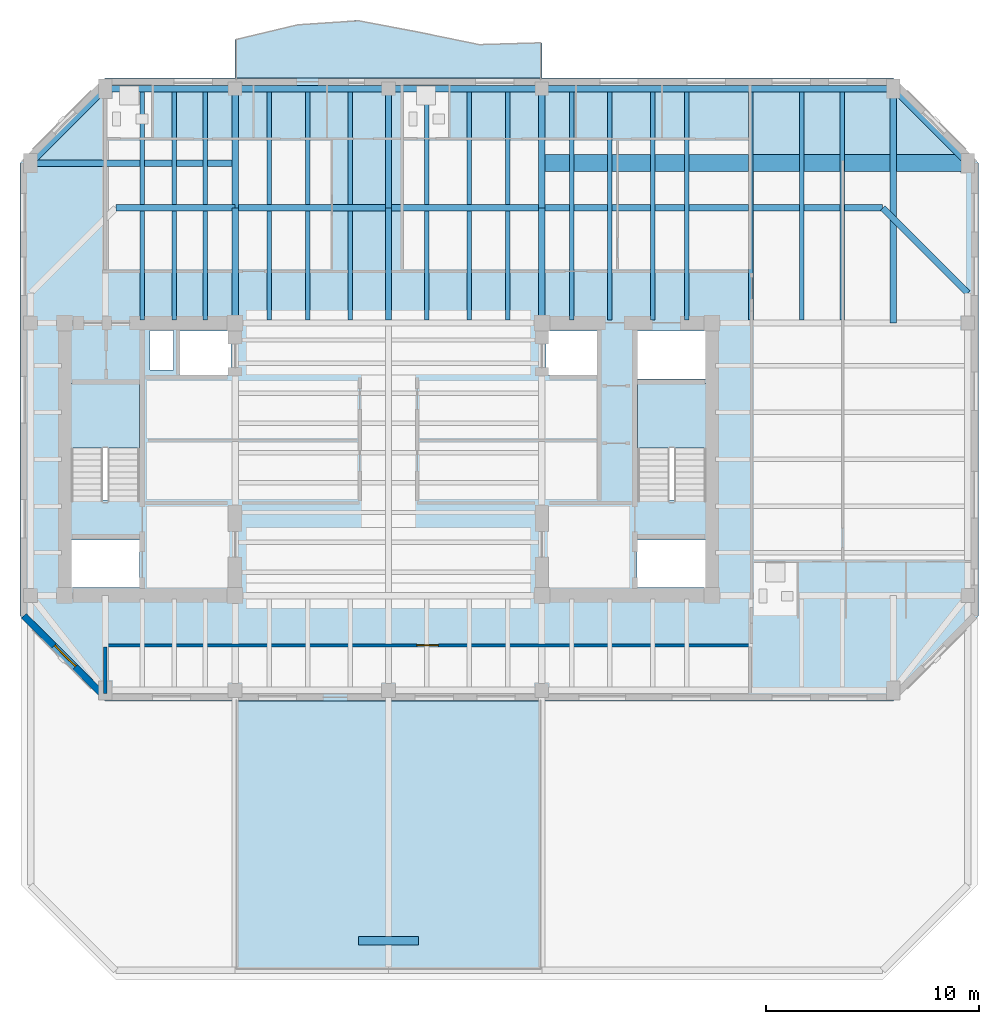
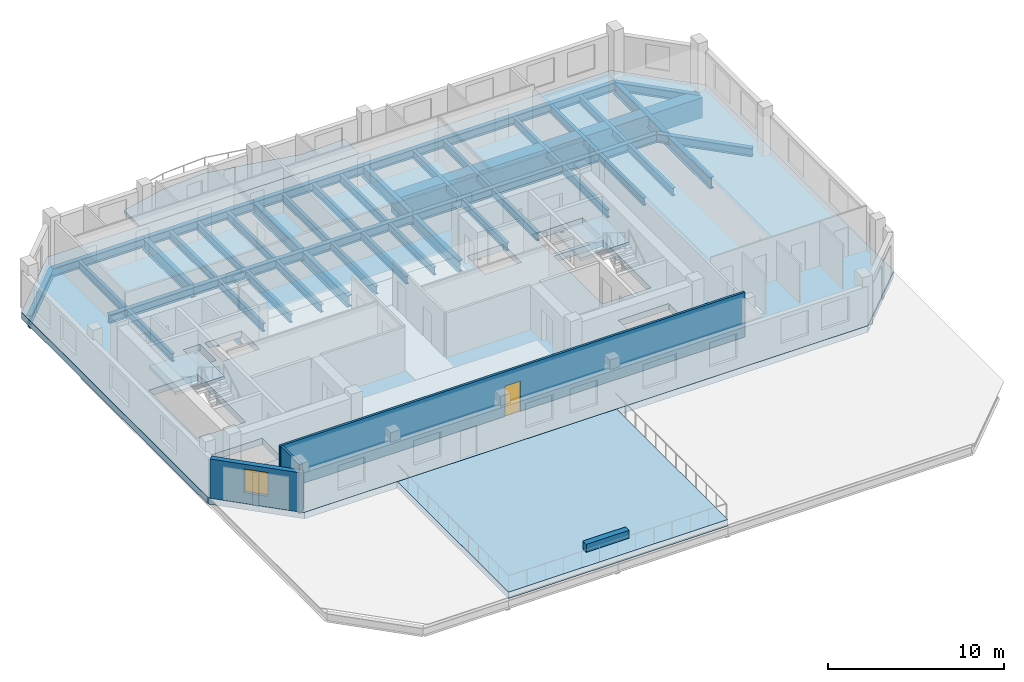
# One storey, part 2 of 10: 36 beams, 5 slabs, 4 walls, 1 door, 1 window, 2 openings, 2 elements without a shape of their own.
"""IFC4 building model written with IfcOpenShell, lengths in metres."""

from ifc_helpers import new_model, si_unit, direction, frame, frame_2d, origin, origin_2d, place, context, subcontext, project, spatial, polyline, rectangle, i_section, outline, extrude, material, layer, layer_set, material_profile, profile_set, type_object, element, fill, aggregate, save


model = new_model("IFC4")

# Units and contexts
model_context = context("Model", 3, precision=1e-05, world=origin(), true_north=direction((0.0, 1.0)))
body_context = subcontext(model_context, "Body", "Model", "MODEL_VIEW")
ifc_project = project(units=[si_unit("LENGTHUNIT", "METRE"), si_unit("AREAUNIT", "SQUARE_METRE"), si_unit("VOLUMEUNIT", "CUBIC_METRE"), si_unit("PLANEANGLEUNIT", "RADIAN"), si_unit("MASSUNIT", "GRAM", prefix="KILO")], contexts=[model_context])

# Site, building, storey
site_placement = place(None, origin())
site = spatial("IfcSite", under=ifc_project, at=site_placement, CompositionType="ELEMENT")
building_placement = place(site_placement, origin())
building = spatial("IfcBuilding", under=site, at=building_placement, Name="Kranthara Brick Stack", CompositionType="ELEMENT")
storey_placement = place(building_placement, frame((0.0, 0.0, 248.300048828125)))
storey = spatial("IfcBuildingStorey", under=building, at=storey_placement, Name="L65", CompositionType="ELEMENT", Elevation=248.300048828125)

# Beams
ifc_material_1 = material(Name="Steel S355", Category="steel")
ifc_material_profile_1 = material_profile(ifc_material_1, i_section(OverallWidth=0.2099609375, OverallDepth=0.550048828125, WebThickness=0.010986328125, FlangeThickness=0.01708984375, at=origin_2d()), Name="IPE 550")
ifc_profile_set_1 = profile_set([ifc_material_profile_1], Name="Steel S355")
beam_type_1 = type_object("IfcBeamType", Name="BM-JST-IPE550", PredefinedType="JOIST", material=ifc_profile_set_1)
for number, where, z_axis, x_axis, name in (
    (1, (16.449951171875, 33.75, -0.72509765625), (0.0, 1.0, 0.0), (-1.0, 0.0, 0.0), "L65 North Wing Floor Joist 074"),
    (2, (17.949951171875, 33.75, -0.72509765625), (0.0, 1.0, 0.0), (-1.0, 0.0, 0.0), "L65 North Wing Floor Joist 076"),
    (3, (19.39990234375, 33.75, -0.72509765625), (0.0, 1.0, 0.0), (-1.0, 0.0, 0.0), "L65 North Wing Floor Joist 078"),
    (4, (22.39990234375, 33.75, -0.72509765625), (0.0, 1.0, 0.0), (-1.0, 0.0, 0.0), "L65 North Wing Floor Joist 080"),
    (5, (24.199951171875, 33.75, -0.72509765625), (0.0, 1.0, 0.0), (-1.0, 0.0, 0.0), "L65 North Wing Floor Joist 082"),
    (6, (26.199951171875, 33.75, -0.72509765625), (0.0, 1.0, 0.0), (-1.0, 0.0, 0.0), "L65 North Wing Floor Joist 084"),
    (7, (29.800048828125, 33.75, -0.72509765625), (0.0, 1.0, 0.0), (-1.0, 0.0, 0.0), "L65 North Wing Floor Joist 086"),
    (8, (31.800048828125, 33.75, -0.72509765625), (0.0, 1.0, 0.0), (-1.0, 0.0, 0.0), "L65 North Wing Floor Joist 088"),
    (9, (33.60009765625, 33.75, -0.72509765625), (0.0, 1.0, 0.0), (-1.0, 0.0, 0.0), "L65 North Wing Floor Joist 090"),
    (10, (36.60009765625, 33.75, -0.72509765625), (0.0, 1.0, 0.0), (-1.0, 0.0, 0.0), "L65 North Wing Floor Joist 092"),
    (11, (38.39990234375, 33.75, -0.72509765625), (0.0, 1.0, 0.0), (-1.0, 0.0, 0.0), "L65 North Wing Floor Joist 094"),
    (12, (40.39990234375, 33.75, -0.72509765625), (0.0, 1.0, 0.0), (-1.0, 0.0, 0.0), "L65 North Wing Floor Joist 096"),
    (13, (42.0, 33.75, -0.72509765625), (0.0, 1.0, 0.0), (-1.0, 0.0, 0.0), "L65 North Wing Floor Joist 098"),
    (14, (45.0, 33.75, -0.72509765625), (0.0, 1.0, 0.0), (-1.0, 0.0, 0.0), "L65 North Wing Floor Joist 100"),
    (15, (47.39990234375, 33.75, -0.72509765625), (0.0, 1.0, 0.0), (-1.0, 0.0, 0.0), "L65 North Wing Floor Joist 102"),
    (16, (49.300048828125, 33.75, -0.72509765625), (0.0, 1.0, 0.0), (-1.0, 0.0, 0.0), "L65 North Wing Floor Joist 104"),
):
    element("IfcBeam", number, at=place(storey_placement, frame(where, z_axis=z_axis, x_axis=x_axis)), inside=storey, type_object=beam_type_1, Name=name, PredefinedType="JOIST", context=body_context, shape_type="SweptSolid", body=[
        extrude(i_section(OverallWidth=0.2099609375, OverallDepth=0.550048828125, WebThickness=0.010986328125, FlangeThickness=0.01708984375, at=origin_2d()), origin(), (0.0, 0.0, 1.0), 10.699951171875),
    ])
ifc_material_2 = material(Name="Steel S355", Category="steel")
ifc_material_profile_2 = material_profile(ifc_material_2, i_section(OverallWidth=0.300048828125, OverallDepth=0.60009765625, WebThickness=0.015380859375, FlangeThickness=0.030029296875, at=origin_2d()), Name="HEB 600")
ifc_profile_set_2 = profile_set([ifc_material_profile_2], Name="Steel S355")
beam_type_2 = type_object("IfcBeamType", Name="BM-STL-HEB600", PredefinedType="BEAM", material=ifc_profile_set_2)
beam_1_placement = place(storey_placement, frame((15.199951171875, 39.0, -0.75), z_axis=(1.0, 0.0, 0.0), x_axis=(0.0, 1.0, 0.0)))
element("IfcBeam", 17, at=beam_1_placement, inside=storey, type_object=beam_type_2, Name="L65 Perimeter Spandrel Beam 009", PredefinedType="BEAM", context=body_context, shape_type="SweptSolid", body=[
    extrude(i_section(OverallWidth=0.300048828125, OverallDepth=0.60009765625, WebThickness=0.015380859375, FlangeThickness=0.030029296875, at=origin_2d()), origin(), (0.0, 0.0, 1.0), 5.60009765625),
])
for number, where, z_axis, x_axis, name in (
    (18, (20.800048828125, 39.0, -0.75), (1.0, 0.0, 0.0), (0.0, 1.0, 0.0), "L65 Perimeter Spandrel Beam 010"),
    (19, (28.0, 39.0, -0.75), (1.0, 0.0, 0.0), (0.0, 1.0, 0.0), "L65 Perimeter Spandrel Beam 011"),
):
    element("IfcBeam", number, at=place(storey_placement, frame(where, z_axis=z_axis, x_axis=x_axis)), inside=storey, type_object=beam_type_2, Name=name, PredefinedType="BEAM", context=body_context, shape_type="SweptSolid", body=[
        extrude(i_section(OverallWidth=0.300048828125, OverallDepth=0.60009765625, WebThickness=0.015380859375, FlangeThickness=0.030029296875, at=origin_2d()), origin(), (0.0, 0.0, 1.0), 7.199951171875),
    ])
beam_2_placement = place(storey_placement, frame((35.199951171875, 39.0, -0.75), z_axis=(1.0, 0.0, 0.0), x_axis=(0.0, 1.0, 0.0)))
element("IfcBeam", 20, at=beam_2_placement, inside=storey, type_object=beam_type_2, Name="L65 Perimeter Spandrel Beam 012", PredefinedType="BEAM", context=body_context, shape_type="SweptSolid", body=[
    extrude(i_section(OverallWidth=0.300048828125, OverallDepth=0.60009765625, WebThickness=0.015380859375, FlangeThickness=0.030029296875, at=origin_2d()), origin(), (0.0, 0.0, 1.0), 16.0),
])
beam_3_placement = place(storey_placement, frame((51.199951171875, 39.0, -0.75), z_axis=(0.707106781187, -0.707106781187, 0.0), x_axis=(0.707106781187, 0.707106781187, 0.0)))
element("IfcBeam", 21, at=beam_3_placement, inside=storey, type_object=beam_type_2, Name="L65 Chamfer Corner Spandrel 022", PredefinedType="BEAM", context=body_context, shape_type="SweptSolid", body=[
    extrude(i_section(OverallWidth=0.300048828125, OverallDepth=0.60009765625, WebThickness=0.015380859375, FlangeThickness=0.030029296875, at=origin_2d()), origin(), (0.0, 0.0, 1.0), 5.65673828125),
])
beam_4_placement = place(storey_placement, frame((14.699951171875, 44.60009765625, -0.75), z_axis=(1.0, 0.0, 0.0), x_axis=(0.0, 1.0, 0.0)))
element("IfcBeam", 22, at=beam_4_placement, inside=storey, type_object=beam_type_2, Name="L65 Perimeter Spandrel Beam 027", PredefinedType="BEAM", context=body_context, shape_type="SweptSolid", body=[
    extrude(i_section(OverallWidth=0.300048828125, OverallDepth=0.60009765625, WebThickness=0.015380859375, FlangeThickness=0.030029296875, at=origin_2d()), origin(), (0.0, 0.0, 1.0), 6.10009765625),
])
for number, where, z_axis, x_axis, name in (
    (23, (20.800048828125, 44.60009765625, -0.75), (1.0, 0.0, 0.0), (0.0, 1.0, 0.0), "L65 Perimeter Spandrel Beam 028"),
    (24, (28.0, 44.60009765625, -0.75), (1.0, 0.0, 0.0), (0.0, 1.0, 0.0), "L65 Perimeter Spandrel Beam 029"),
):
    element("IfcBeam", number, at=place(storey_placement, frame(where, z_axis=z_axis, x_axis=x_axis)), inside=storey, type_object=beam_type_2, Name=name, PredefinedType="BEAM", context=body_context, shape_type="SweptSolid", body=[
        extrude(i_section(OverallWidth=0.300048828125, OverallDepth=0.60009765625, WebThickness=0.015380859375, FlangeThickness=0.030029296875, at=origin_2d()), origin(), (0.0, 0.0, 1.0), 7.199951171875),
    ])
beam_5_placement = place(storey_placement, frame((35.199951171875, 44.60009765625, -0.75), z_axis=(1.0, 0.0, 0.0), x_axis=(0.0, 1.0, 0.0)))
element("IfcBeam", 25, at=beam_5_placement, inside=storey, type_object=beam_type_2, Name="L65 Perimeter Spandrel Beam 030", PredefinedType="BEAM", context=body_context, shape_type="SweptSolid", body=[
    extrude(i_section(OverallWidth=0.300048828125, OverallDepth=0.60009765625, WebThickness=0.015380859375, FlangeThickness=0.030029296875, at=origin_2d()), origin(), (0.0, 0.0, 1.0), 16.5),
])
for number, where, z_axis, x_axis, name in (
    (26, (14.699951171875, 44.60009765625, -0.75), (-0.707106781187, -0.707106781187, 0.0), (0.707106781187, -0.707106781187, 0.0), "L65 Chamfer Corner Spandrel 033"),
    (27, (51.699951171875, 44.60009765625, -0.75), (0.707106781187, -0.707106781187, 0.0), (0.707106781187, 0.707106781187, 0.0), "L65 Chamfer Corner Spandrel 034"),
):
    element("IfcBeam", number, at=place(storey_placement, frame(where, z_axis=z_axis, x_axis=x_axis)), inside=storey, type_object=beam_type_2, Name=name, PredefinedType="BEAM", context=body_context, shape_type="SweptSolid", body=[
        extrude(i_section(OverallWidth=0.300048828125, OverallDepth=0.60009765625, WebThickness=0.015380859375, FlangeThickness=0.030029296875, at=origin_2d()), origin(), (0.0, 0.0, 1.0), 4.94970703125),
    ])
ifc_material_3 = material(Name="Steel S355", Category="steel")
ifc_material_profile_3 = material_profile(ifc_material_3, i_section(OverallWidth=0.300048828125, OverallDepth=0.800048828125, WebThickness=0.017578125, FlangeThickness=0.032958984375, at=origin_2d()), Name="HEB 800")
ifc_profile_set_3 = profile_set([ifc_material_profile_3], Name="Steel S355")
beam_type_3 = type_object("IfcBeamType", Name="BM-TR-HEB800", PredefinedType="BEAM", material=ifc_profile_set_3)
beam_6_placement = place(storey_placement, frame((20.800048828125, 33.60009765625, -0.85009765625), z_axis=(0.0, 1.0, 0.0), x_axis=(-1.0, 0.0, 0.0)))
element("IfcBeam", 28, at=beam_6_placement, inside=storey, type_object=beam_type_3, Name="L65 Primary Grid Girder 036", PredefinedType="BEAM", context=body_context, shape_type="SweptSolid", body=[
    extrude(i_section(OverallWidth=0.300048828125, OverallDepth=0.800048828125, WebThickness=0.017578125, FlangeThickness=0.032958984375, at=origin_2d()), origin(), (0.0, 0.0, 1.0), 5.39990234375),
])
beam_7_placement = place(storey_placement, frame((20.800048828125, 39.0, -0.85009765625), z_axis=(0.0, 1.0, 0.0), x_axis=(-1.0, 0.0, 0.0)))
element("IfcBeam", 29, at=beam_7_placement, inside=storey, type_object=beam_type_3, Name="L65 Primary Grid Girder 037", PredefinedType="BEAM", context=body_context, shape_type="SweptSolid", body=[
    extrude(i_section(OverallWidth=0.300048828125, OverallDepth=0.800048828125, WebThickness=0.017578125, FlangeThickness=0.032958984375, at=origin_2d()), origin(), (0.0, 0.0, 1.0), 5.60009765625),
])
beam_8_placement = place(storey_placement, frame((28.0, 33.75, -0.85009765625), z_axis=(0.0, 1.0, 0.0), x_axis=(-1.0, 0.0, 0.0)))
element("IfcBeam", 30, at=beam_8_placement, inside=storey, type_object=beam_type_3, Name="L65 Primary Grid Girder 040", PredefinedType="BEAM", context=body_context, shape_type="SweptSolid", body=[
    extrude(i_section(OverallWidth=0.300048828125, OverallDepth=0.800048828125, WebThickness=0.017578125, FlangeThickness=0.032958984375, at=origin_2d()), origin(), (0.0, 0.0, 1.0), 5.25),
])
beam_9_placement = place(storey_placement, frame((28.0, 39.0, -0.85009765625), z_axis=(0.0, 1.0, 0.0), x_axis=(-1.0, 0.0, 0.0)))
element("IfcBeam", 31, at=beam_9_placement, inside=storey, type_object=beam_type_3, Name="L65 Primary Grid Girder 041", PredefinedType="BEAM", context=body_context, shape_type="SweptSolid", body=[
    extrude(i_section(OverallWidth=0.300048828125, OverallDepth=0.800048828125, WebThickness=0.017578125, FlangeThickness=0.032958984375, at=origin_2d()), origin(), (0.0, 0.0, 1.0), 5.60009765625),
])
beam_10_placement = place(storey_placement, frame((35.199951171875, 33.60009765625, -0.85009765625), z_axis=(0.0, 1.0, 0.0), x_axis=(-1.0, 0.0, 0.0)))
element("IfcBeam", 32, at=beam_10_placement, inside=storey, type_object=beam_type_3, Name="L65 Primary Grid Girder 043", PredefinedType="BEAM", context=body_context, shape_type="SweptSolid", body=[
    extrude(i_section(OverallWidth=0.300048828125, OverallDepth=0.800048828125, WebThickness=0.017578125, FlangeThickness=0.032958984375, at=origin_2d()), origin(), (0.0, 0.0, 1.0), 5.39990234375),
])
beam_11_placement = place(storey_placement, frame((35.199951171875, 39.0, -0.85009765625), z_axis=(0.0, 1.0, 0.0), x_axis=(-1.0, 0.0, 0.0)))
element("IfcBeam", 33, at=beam_11_placement, inside=storey, type_object=beam_type_3, Name="L65 Primary Grid Girder 044", PredefinedType="BEAM", context=body_context, shape_type="SweptSolid", body=[
    extrude(i_section(OverallWidth=0.300048828125, OverallDepth=0.800048828125, WebThickness=0.017578125, FlangeThickness=0.032958984375, at=origin_2d()), origin(), (0.0, 0.0, 1.0), 5.60009765625),
])
beam_12_placement = place(storey_placement, frame((51.699951171875, 44.60009765625, -0.85009765625), z_axis=(0.0, -1.0, 0.0), x_axis=(1.0, 0.0, 0.0)))
element("IfcBeam", 34, at=beam_12_placement, inside=storey, type_object=beam_type_3, Name="L65 Transfer Tie Girder 052", PredefinedType="BEAM", context=body_context, shape_type="SweptSolid", body=[
    extrude(i_section(OverallWidth=0.300048828125, OverallDepth=0.800048828125, WebThickness=0.017578125, FlangeThickness=0.032958984375, at=origin_2d()), origin(), (0.0, 0.0, 1.0), 11.0),
])
beam_13_placement = place(storey_placement, frame((11.199951171875, 41.10009765625, -0.85009765625), z_axis=(1.0, 0.0, 0.0), x_axis=(0.0, 1.0, 0.0)))
element("IfcBeam", 35, at=beam_13_placement, inside=storey, type_object=beam_type_3, Name="L65 Transfer Tie Girder 053", PredefinedType="BEAM", context=body_context, shape_type="SweptSolid", body=[
    extrude(i_section(OverallWidth=0.300048828125, OverallDepth=0.800048828125, WebThickness=0.017578125, FlangeThickness=0.032958984375, at=origin_2d()), origin(), (0.0, 0.0, 1.0), 9.60009765625),
])
ifc_material_4 = material(Name="Post-tensioned concrete C50/60", Category="concrete")
ifc_material_profile_4 = material_profile(ifc_material_4, rectangle(XDim=0.800048828125, YDim=1.39990234375, at=origin_2d()), Name="PT 800x1400")
ifc_profile_set_4 = profile_set([ifc_material_profile_4], Name="Post-tensioned concrete C50/60")
beam_type_4 = type_object("IfcBeamType", Name="BM-TR-PT1400", PredefinedType="T_BEAM", material=ifc_profile_set_4)
beam_14_placement = place(storey_placement, frame((55.199951171875, 41.10009765625, -1.150146484375), z_axis=(-1.0, 0.0, 0.0), x_axis=(0.0, -1.0, 0.0)))
element("IfcBeam", 36, at=beam_14_placement, inside=storey, type_object=beam_type_4, Name="L65 Transfer Tie Girder 054", PredefinedType="T_BEAM", context=body_context, shape_type="SweptSolid", body=[
    extrude(rectangle(XDim=0.800048828125, YDim=1.39990234375, at=origin_2d()), origin(), (0.0, 0.0, 1.0), 20.0),
])

# Slab
ifc_material_5 = material(Name="Concrete C45/55", Category="concrete")
ifc_layer_1 = layer(ifc_material_5, 0.219970703125)
ifc_layer_set_1 = layer_set([ifc_layer_1], Name="Concrete C45/55")
slab_type_1 = type_object("IfcSlabType", Name="SLB-BALC-220", PredefinedType="FLOOR", material=ifc_layer_set_1)
slab_1_placement = place(storey_placement, frame((0.0, 0.0, -0.219970703125)))
element("IfcSlab", 37, at=slab_1_placement, inside=storey, type_object=slab_type_1, Name="L65 North Rippling Balcony Slab", PredefinedType="FLOOR", context=body_context, shape_type="SweptSolid", body=[
    extrude(outline(polyline([(35.199951171875, 45.10009765625), (20.800048828125, 45.10009765625), (20.800048828125, 46.91259765625), (23.679931640625, 47.611572265625), (26.56005859375, 47.824462890625), (29.43994140625, 47.283447265625), (32.320068359375, 46.6689453125), (35.199951171875, 46.753662109375), (35.199951171875, 45.10009765625)])), origin(), (0.0, 0.0, 1.0), 0.219970703125),
])

# Stair, slab
ifc_material_6 = material(Name="Concrete C45/55", Category="concrete")
stair_type = type_object("IfcStairType", Name="ST-CORE-20R", PredefinedType="HALF_TURN_STAIR", material=ifc_material_6)
stair_1_placement = place(storey_placement, origin())
stair_1 = element("IfcStair", 38, at=stair_1_placement, inside=storey, type_object=stair_type, Name="L65 West Core Protected Exit Stair ST01", PredefinedType="HALF_TURN_STAIR")
ifc_material_7 = material(Name="Concrete C45/55", Category="concrete")
ifc_layer_2 = layer(ifc_material_7, 0.199951171875)
ifc_layer_set_2 = layer_set([ifc_layer_2], Name="Concrete C45/55")
slab_type_2 = type_object("IfcSlabType", Name="SLB-LANDING-200", PredefinedType="LANDING", material=ifc_layer_set_2)
slab_2_placement = place(storey_placement, frame((0.0, 0.0, 1.5)))
slab_2 = element("IfcSlab", 39, at=slab_2_placement, type_object=slab_type_2, Name="ST01 landing 1", PredefinedType="LANDING", context=body_context, shape_type="SweptSolid", body=[
    extrude(outline(polyline([(16.300048828125, 27.719970703125), (16.300048828125, 30.75), (13.10009765625, 30.75), (13.10009765625, 27.719970703125), (16.300048828125, 27.719970703125)])), origin(), (0.0, 0.0, 1.0), 0.199951171875),
])
aggregate(stair_1, [slab_2])

stair_2_placement = place(storey_placement, origin())
stair_2 = element("IfcStair", 40, at=stair_2_placement, inside=storey, type_object=stair_type, Name="L65 East Core Protected Exit Stair ST02", PredefinedType="HALF_TURN_STAIR")
slab_3_placement = place(storey_placement, frame((0.0, 0.0, 1.5)))
slab_3 = element("IfcSlab", 41, at=slab_3_placement, type_object=slab_type_2, Name="ST02 landing 1", PredefinedType="LANDING", context=body_context, shape_type="SweptSolid", body=[
    extrude(outline(polyline([(42.89990234375, 27.719970703125), (42.89990234375, 30.75), (39.699951171875, 30.75), (39.699951171875, 27.719970703125), (42.89990234375, 27.719970703125)])), origin(), (0.0, 0.0, 1.0), 0.199951171875),
])
aggregate(stair_2, [slab_3])

# Slabs
ifc_material_8 = material(Name="Concrete C45/55", Category="concrete")
ifc_layer_3 = layer(ifc_material_8, 0.449951171875)
ifc_layer_set_3 = layer_set([ifc_layer_3], Name="Concrete C45/55")
slab_type_3 = type_object("IfcSlabType", Name="SLB-TERR-450", PredefinedType="ROOF", material=ifc_layer_set_3)
slab_4_placement = place(storey_placement, frame((0.0, 0.0, -0.449951171875)))
element("IfcSlab", 42, at=slab_4_placement, inside=storey, type_object=slab_type_3, Name="L65 South Planted Sky Garden", PredefinedType="ROOF", context=body_context, shape_type="SweptSolid", body=[
    extrude(outline(polyline([(20.800048828125, 3.199951171875), (35.199951171875, 3.199951171875), (35.199951171875, 15.85009765625), (20.800048828125, 15.85009765625), (20.800048828125, 3.199951171875)])), origin(), (0.0, 0.0, 1.0), 0.449951171875),
])
ifc_material_9 = material(Name="Post-tensioned concrete C50/60", Category="concrete")
ifc_layer_4 = layer(ifc_material_9, 0.449951171875)
ifc_layer_set_4 = layer_set([ifc_layer_4], Name="Post-tensioned concrete C50/60")
slab_type_4 = type_object("IfcSlabType", Name="SLB-TRANS-450", PredefinedType="FLOOR", material=ifc_layer_set_4)
slab_5_placement = place(storey_placement, frame((0.0, 0.0, -0.449951171875)))
element("IfcSlab", 43, at=slab_5_placement, inside=storey, type_object=slab_type_4, Name="L65 Structural Floor Plate", PredefinedType="FLOOR", context=body_context, shape_type="SweptSolid", body=[
    extrude(outline(polyline([(14.699951171875, 15.85009765625), (51.699951171875, 15.85009765625), (55.699951171875, 19.85009765625), (55.699951171875, 41.10009765625), (51.699951171875, 45.10009765625), (14.699951171875, 45.10009765625), (10.699951171875, 41.10009765625), (10.699951171875, 19.85009765625), (14.699951171875, 15.85009765625)]), holes=[polyline([(13.10009765625, 25.280029296875), (16.300048828125, 25.280029296875), (16.300048828125, 30.75), (13.10009765625, 30.75), (13.10009765625, 25.280029296875)]), polyline([(39.699951171875, 25.280029296875), (42.89990234375, 25.280029296875), (42.89990234375, 30.75), (39.699951171875, 30.75), (39.699951171875, 25.280029296875)]), polyline([(13.0, 21.179931640625), (16.320068359375, 21.179931640625), (16.320068359375, 23.419921875), (13.0, 23.419921875), (13.0, 21.179931640625)]), polyline([(39.679931640625, 21.179931640625), (43.0, 21.179931640625), (43.0, 23.419921875), (39.679931640625, 23.419921875), (39.679931640625, 21.179931640625)]), polyline([(39.679931640625, 30.97998046875), (43.0, 30.97998046875), (43.0, 33.219970703125), (39.679931640625, 33.219970703125), (39.679931640625, 30.97998046875)]), polyline([(18.199951171875, 31.14990234375), (20.60009765625, 31.14990234375), (20.60009765625, 33.219970703125), (18.199951171875, 33.219970703125), (18.199951171875, 31.14990234375)]), polyline([(35.39990234375, 31.14990234375), (37.800048828125, 31.14990234375), (37.800048828125, 33.219970703125), (35.39990234375, 33.219970703125), (35.39990234375, 31.14990234375)]), polyline([(16.800048828125, 31.39990234375), (17.89990234375, 31.39990234375), (17.89990234375, 33.25), (16.800048828125, 33.25), (16.800048828125, 31.39990234375)])]), origin(), (0.0, 0.0, 1.0), 0.449951171875),
])

# Wall, opening, window
ifc_material_10 = material(Name="Warm buff clay brick masonry M15", Category="masonry")
ifc_layer_5 = layer(ifc_material_10, 0.320068359375)
ifc_layer_set_5 = layer_set([ifc_layer_5], Name="Warm buff clay brick masonry M15")
wall_type_1 = type_object("IfcWallType", Name="WL-BRK-UPPR-320", PredefinedType="STANDARD", material=ifc_layer_set_5)
wall_1_placement = place(storey_placement, frame((14.699951171875, 16.030029296875, 0.0), z_axis=(0.0, 0.0, 1.0), x_axis=(-0.707106781187, 0.707106781187, 0.0)))
wall_1 = element("IfcWall", 44, at=wall_1_placement, inside=storey, type_object=wall_type_1, Name="L65 Exterior Brick Facade Wall SW 1", PredefinedType="STANDARD", context=body_context, shape_type="SweptSolid", body=[
    extrude(rectangle(XDim=5.40234375, YDim=0.320068359375, at=frame_2d((2.701171875, 0.0))), origin(), (0.0, 0.0, 1.0), 2.724853515625),
])
opening_1_placement = place(wall_1_placement, frame((2.0009765625, 0.0, 0.75)))
opening_1 = element("IfcOpeningElement", 45, at=opening_1_placement, cuts=wall_1, Name="Opening WN10", PredefinedType="OPENING", context=body_context, shape_type="SweptSolid", body=[
    extrude(rectangle(XDim=1.39990234375, YDim=1.64990234375, at=frame_2d((0.699951171875, 0.824951171875))), frame((0.0, 0.169921875, 0.0), z_axis=(0.0, -1.0, 0.0), x_axis=(1.0, 0.0, 0.0)), (0.0, 0.0, 1.0), 0.340087890625),
])
ifc_material_11 = material(Name="Double-glazed low-E solar control glass", Category="glass")
window_type = type_object("IfcWindowType", Name="WN-CHM-1400x1750", PartitioningType="SINGLE_PANEL", PredefinedType="WINDOW", material=ifc_material_11)
window_placement = place(opening_1_placement, origin())
window = element("IfcWindow", 46, at=window_placement, inside=storey, type_object=window_type, Name="L65 SW Chamfer Corner Window", OverallHeight=1.64990234375, OverallWidth=1.39990234375, PartitioningType="SINGLE_PANEL", PredefinedType="WINDOW", context=body_context, shape_type="SweptSolid", body=[
    extrude(rectangle(XDim=1.39990234375, YDim=1.64990234375, at=frame_2d((0.699951171875, 0.824951171875))), frame((0.0, -0.010009765625, 0.0), z_axis=(0.0, -1.0, 0.0), x_axis=(1.0, 0.0, 0.0)), (0.0, 0.0, 1.0), 0.06005859375),
])
fill(opening_1, window)

# Wall, opening, door
ifc_material_12 = material(Name="Fire-rated gypsum board partition", Category="other")
ifc_layer_6 = layer(ifc_material_12, 0.14990234375)
ifc_layer_set_6 = layer_set([ifc_layer_6], Name="Fire-rated gypsum board partition")
wall_type_2 = type_object("IfcWallType", Name="WL-PART-150", PredefinedType="PARTITIONING", material=ifc_layer_set_6)
wall_2_placement = place(storey_placement, frame((14.580078125, 18.4599609375, 0.0), z_axis=(0.0, 0.0, 1.0), x_axis=(1.0, 0.0, 0.0)))
wall_2 = element("IfcWall", 47, at=wall_2_placement, inside=storey, type_object=wall_type_2, Name="L65 Interior Partition 010", PredefinedType="PARTITIONING", context=body_context, shape_type="SweptSolid", body=[
    extrude(rectangle(XDim=30.52001953125, YDim=0.14990234375, at=frame_2d((15.260009765625, 0.0))), origin(), (0.0, 0.0, 1.0), 3.099853515625),
])
opening_2_placement = place(wall_2_placement, frame((14.760009765625, 0.0, 0.0)))
opening_2 = element("IfcOpeningElement", 48, at=opening_2_placement, cuts=wall_2, Name="Opening D08", PredefinedType="OPENING", context=body_context, shape_type="SweptSolid", body=[
    extrude(rectangle(XDim=1.0, YDim=2.10009765625, at=frame_2d((0.5, 1.050048828125))), frame((0.0, 0.0849609375, 0.0), z_axis=(0.0, -1.0, 0.0), x_axis=(1.0, 0.0, 0.0)), (0.0, 0.0, 1.0), 0.169921875),
])
ifc_material_13 = material(Name="Solid-core hardwood timber leaf in steel frame", Category="steel")
door_type = type_object("IfcDoorType", Name="DR-FD-1000", OperationType="NOTDEFINED", PredefinedType="DOOR", material=ifc_material_13)
door_placement = place(opening_2_placement, origin())
door = element("IfcDoor", 49, at=door_placement, inside=storey, type_object=door_type, Name="L65 South Amenity Lounge 1 08", OperationType="SINGLE_SWING_RIGHT", OverallHeight=2.10009765625, OverallWidth=1.0, PredefinedType="DOOR", context=body_context, shape_type="SweptSolid", body=[
    extrude(rectangle(XDim=1.0, YDim=2.10009765625, at=frame_2d((0.5, 1.050048828125))), frame((0.0, 0.02490234375, 0.0), z_axis=(0.0, -1.0, 0.0), x_axis=(1.0, 0.0, 0.0)), (0.0, 0.0, 1.0), 0.050048828125),
])
fill(opening_2, door)

# Walls
wall_3_placement = place(storey_placement, frame((14.699951171875, 16.195068359375, 0.0), z_axis=(0.0, 0.0, 1.0), x_axis=(0.0, 1.0, 0.0)))
element("IfcWall", 50, at=wall_3_placement, inside=storey, type_object=wall_type_2, Name="L65 Interior Partition 011", PredefinedType="PARTITIONING", context=body_context, shape_type="SweptSolid", body=[
    extrude(rectangle(XDim=2.184814453125, YDim=0.14990234375, at=frame_2d((1.09228515625, 0.0))), origin(), (0.0, 0.0, 1.0), 3.099853515625),
])
ifc_material_14 = material(Name="Precast concrete C40/50", Category="concrete")
ifc_layer_7 = layer(ifc_material_14, 0.219970703125)
ifc_layer_set_7 = layer_set([ifc_layer_7], Name="Precast concrete C40/50")
wall_type_3 = type_object("IfcWallType", Name="WL-PLN-KERB-220", PredefinedType="PARAPET", material=ifc_layer_set_7)
wall_4_placement = place(storey_placement, frame((26.60009765625, 4.60009765625, 0.0), z_axis=(0.0, 0.0, 1.0), x_axis=(1.0, 0.0, 0.0)))
element("IfcWall", 51, at=wall_4_placement, inside=storey, type_object=wall_type_3, Name="L65 Sky Garden Planted Planter Bed", PredefinedType="PARAPET", context=body_context, shape_type="SweptSolid", body=[
    extrude(rectangle(XDim=2.7998046875, YDim=0.39990234375, at=frame_2d((1.39990234375, 0.0))), origin(), (0.0, 0.0, 1.0), 0.550048828125),
])

save(model, "model.ifc")
